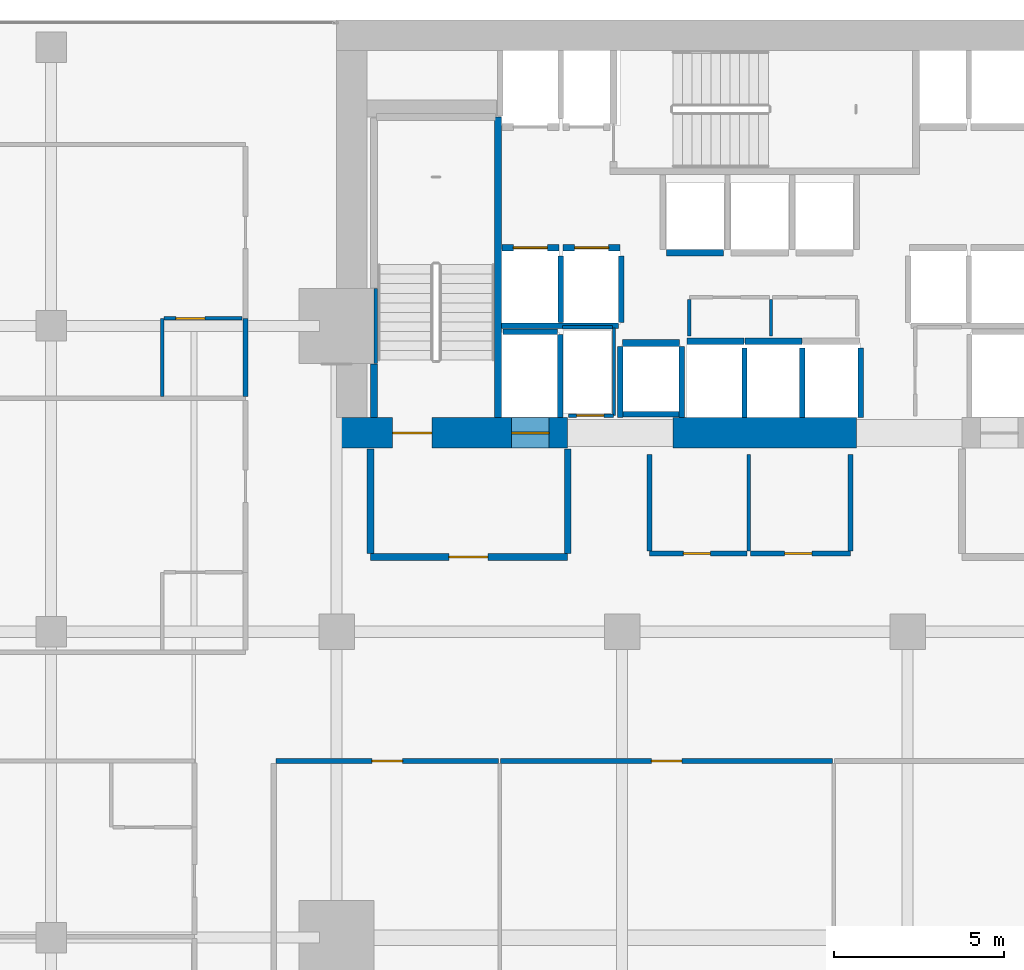
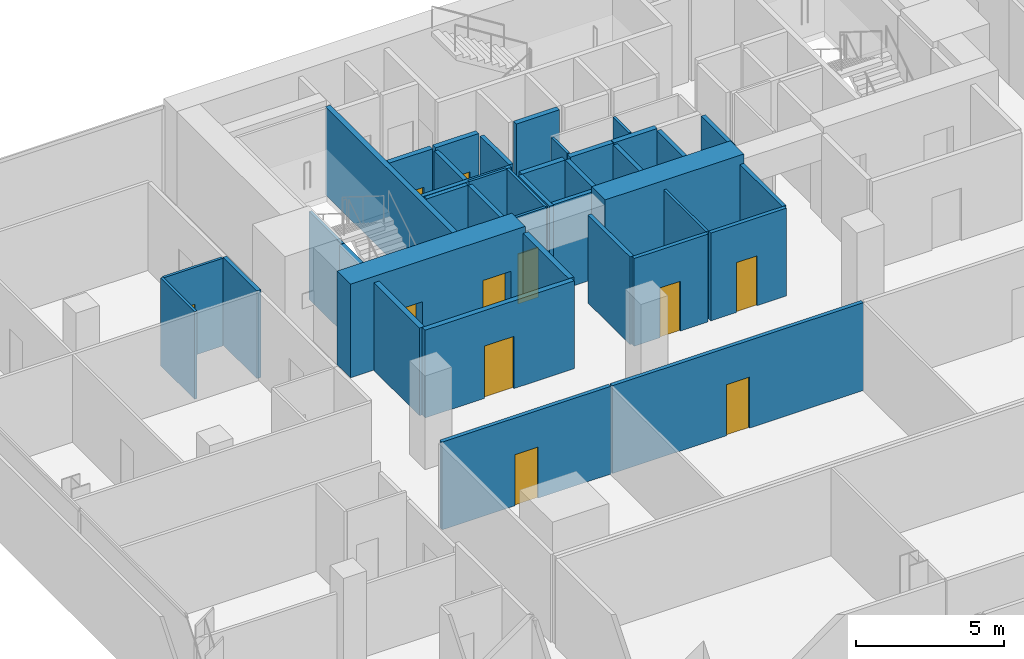
# One storey, part 35 of 40: 40 walls, 11 doors, 11 openings.
"""IFC4 building model written with IfcOpenShell, lengths in metres."""

from ifc_helpers import new_model, si_unit, direction, frame, frame_2d, origin, place, context, subcontext, project, spatial, rectangle, extrude, material, layer, layer_set, type_object, element, fill, save


model = new_model("IFC4")

# Units and contexts
model_context = context("Model", 3, precision=1e-05, world=origin(), true_north=direction((0.0, 1.0)))
body_context = subcontext(model_context, "Body", "Model", "MODEL_VIEW")
ifc_project = project(units=[si_unit("LENGTHUNIT", "METRE"), si_unit("AREAUNIT", "SQUARE_METRE"), si_unit("VOLUMEUNIT", "CUBIC_METRE"), si_unit("PLANEANGLEUNIT", "RADIAN"), si_unit("MASSUNIT", "GRAM", prefix="KILO")], contexts=[model_context])

# Site, building, storey
site_placement = place(None, origin())
site = spatial("IfcSite", under=ifc_project, at=site_placement, CompositionType="ELEMENT")
building_placement = place(site_placement, origin())
building = spatial("IfcBuilding", under=site, at=building_placement, Name="Maruvema Waterfront Hotel and Observation Tower", CompositionType="ELEMENT")
storey_placement = place(building_placement, frame((0.0, 0.0, 50.050048828125)))
storey = spatial("IfcBuildingStorey", under=building, at=storey_placement, Name="L11", CompositionType="ELEMENT", Elevation=50.050048828125)

# Wall, opening, door
ifc_material_1 = material(Name="Twin-stud acoustic gypsum drywall", Category="gypsum")
ifc_layer_1 = layer(ifc_material_1, 0.14990234375, Name="Acoustic Corridor and Suite Demising Wall 150 mm")
ifc_layer_set_1 = layer_set([ifc_layer_1], Name="Twin-stud acoustic gypsum drywall")
wall_type_1 = type_object("IfcWallType", Name="Acoustic Corridor and Suite Demising Wall 150 mm", PredefinedType="PARTITIONING", material=ifc_layer_set_1)
wall_1_placement = place(storey_placement, frame((34.39990234375, 38.300048828125, 0.0), z_axis=(0.0, 0.0, 1.0), x_axis=(1.0, 0.0, 0.0)))
wall_1 = element("IfcWall", 1, at=wall_1_placement, inside=storey, type_object=wall_type_1, Name="L11 Core Apron K2A South 017", PredefinedType="PARTITIONING", context=body_context, shape_type="SweptSolid", body=[
    extrude(rectangle(XDim=2.880126953125, YDim=0.14990234375, at=frame_2d((1.43994140625, 0.0))), origin(), (0.0, 0.0, 1.0), 3.60986328125),
])
opening_1_placement = place(wall_1_placement, frame((1.0, 0.0, 0.0)))
opening_1 = element("IfcOpeningElement", 2, at=opening_1_placement, cuts=wall_1, Name="Opening DR-080", PredefinedType="OPENING", context=body_context, shape_type="SweptSolid", body=[
    extrude(rectangle(XDim=0.800048828125, YDim=2.050048828125, at=frame_2d((0.39990234375, 1.02490234375))), frame((0.0, 0.0849609375, 0.0), z_axis=(0.0, -1.0, 0.0), x_axis=(1.0, 0.0, 0.0)), (0.0, 0.0, 1.0), 0.169921875),
])
ifc_material_2 = material(Name="Powder-coated steel access leaf", Category="steel")
door_type_1 = type_object("IfcDoorType", Name="Riser and Service Cupboard Door 800x2050 mm", OperationType="NOTDEFINED", PredefinedType="DOOR", material=ifc_material_2)
door_1_placement = place(opening_1_placement, frame((0.800048828125, 0.0, 0.0), z_axis=(0.0, 0.0, 1.0), x_axis=(-1.0, 0.0, 0.0)))
door_1 = element("IfcDoor", 3, at=door_1_placement, inside=storey, type_object=door_type_1, Name="L11 Core Ice Alcove Door", OperationType="SINGLE_SWING_RIGHT", OverallHeight=2.050048828125, OverallWidth=0.800048828125, PredefinedType="DOOR", context=body_context, shape_type="SweptSolid", body=[
    extrude(rectangle(XDim=0.800048828125, YDim=2.050048828125, at=frame_2d((0.39990234375, 1.02490234375))), frame((0.0, 0.02490234375, 0.0), z_axis=(0.0, -1.0, 0.0), x_axis=(1.0, 0.0, 0.0)), (0.0, 0.0, 1.0), 0.050048828125),
])
fill(opening_1, door_1)

wall_2_placement = place(storey_placement, frame((37.3798828125, 38.300048828125, 0.0), z_axis=(0.0, 0.0, 1.0), x_axis=(1.0, 0.0, 0.0)))
wall_2 = element("IfcWall", 4, at=wall_2_placement, inside=storey, type_object=wall_type_1, Name="L11 Core Apron K2B South 018", PredefinedType="PARTITIONING", context=body_context, shape_type="SweptSolid", body=[
    extrude(rectangle(XDim=2.940185546875, YDim=0.14990234375, at=frame_2d((1.47021484375, 0.0))), origin(), (0.0, 0.0, 1.0), 3.60986328125),
])
opening_2_placement = place(wall_2_placement, frame((1.0, 0.0, 0.0)))
opening_2 = element("IfcOpeningElement", 5, at=opening_2_placement, cuts=wall_2, Name="Opening DR-080", PredefinedType="OPENING", context=body_context, shape_type="SweptSolid", body=[
    extrude(rectangle(XDim=0.800048828125, YDim=2.050048828125, at=frame_2d((0.39990234375, 1.02490234375))), frame((0.0, 0.0849609375, 0.0), z_axis=(0.0, -1.0, 0.0), x_axis=(1.0, 0.0, 0.0)), (0.0, 0.0, 1.0), 0.169921875),
])
door_2_placement = place(opening_2_placement, frame((0.800048828125, 0.0, 0.0), z_axis=(0.0, 0.0, 1.0), x_axis=(-1.0, 0.0, 0.0)))
door_2 = element("IfcDoor", 6, at=door_2_placement, inside=storey, type_object=door_type_1, Name="L11 Core Valet Closet Door", OperationType="SINGLE_SWING_LEFT", OverallHeight=2.050048828125, OverallWidth=0.800048828125, PredefinedType="DOOR", context=body_context, shape_type="SweptSolid", body=[
    extrude(rectangle(XDim=0.800048828125, YDim=2.050048828125, at=frame_2d((0.39990234375, 1.02490234375))), frame((0.0, 0.02490234375, 0.0), z_axis=(0.0, -1.0, 0.0), x_axis=(1.0, 0.0, 0.0)), (0.0, 0.0, 1.0), 0.050048828125),
])
fill(opening_2, door_2)

# Walls
for number, where, z_axis, x_axis, name in (
    (7, (34.39990234375, 38.3798828125, 0.0), (0.0, 0.0, 1.0), (0.0, 1.0, 0.0), "L11 Core Apron K2 West 019"),
    (8, (40.320068359375, 38.3798828125, 0.0), (0.0, 0.0, 1.0), (0.0, 1.0, 0.0), "L11 Core Apron K2 East 021"),
):
    element("IfcWall", number, at=place(storey_placement, frame(where, z_axis=z_axis, x_axis=x_axis)), inside=storey, type_object=wall_type_1, Name=name, PredefinedType="PARTITIONING", context=body_context, shape_type="SweptSolid", body=[
        extrude(rectangle(XDim=2.840087890625, YDim=0.14990234375, at=frame_2d((1.419921875, 0.0))), origin(), (0.0, 0.0, 1.0), 3.60986328125),
    ])

# Wall, opening, door
wall_3_placement = place(storey_placement, frame((23.409912109375, 32.199951171875, 0.0), z_axis=(0.0, 0.0, 1.0), x_axis=(1.0, 0.0, 0.0)))
wall_3 = element("IfcWall", 9, at=wall_3_placement, inside=storey, type_object=wall_type_1, Name="L11 L11-INTN Front 1 025", PredefinedType="PARTITIONING", context=body_context, shape_type="SweptSolid", body=[
    extrude(rectangle(XDim=6.55712890625, YDim=0.14990234375, at=frame_2d((3.278564453125, 0.0))), origin(), (0.0, 0.0, 1.0), 3.60986328125),
])
opening_3_placement = place(wall_3_placement, frame((2.82861328125, 0.0, 0.0)))
opening_3 = element("IfcOpeningElement", 10, at=opening_3_placement, cuts=wall_3, Name="Opening DR-090", PredefinedType="OPENING", context=body_context, shape_type="SweptSolid", body=[
    extrude(rectangle(XDim=0.89990234375, YDim=2.10009765625, at=frame_2d((0.449951171875, 1.050048828125))), frame((0.0, 0.0849609375, 0.0), z_axis=(0.0, -1.0, 0.0), x_axis=(1.0, 0.0, 0.0)), (0.0, 0.0, 1.0), 0.169921875),
])
ifc_material_3 = material(Name="Solid-core lacquered timber leaf", Category="wood")
door_type_2 = type_object("IfcDoorType", Name="Accessible Toilet and Room Door 900x2100 mm", OperationType="NOTDEFINED", PredefinedType="DOOR", material=ifc_material_3)
door_3_placement = place(opening_3_placement, origin())
door_3 = element("IfcDoor", 11, at=door_3_placement, inside=storey, type_object=door_type_2, Name="L11 Executive Meeting Room 1 Door", OperationType="SINGLE_SWING_RIGHT", OverallHeight=2.10009765625, OverallWidth=0.89990234375, PredefinedType="DOOR", context=body_context, shape_type="SweptSolid", body=[
    extrude(rectangle(XDim=0.89990234375, YDim=2.10009765625, at=frame_2d((0.449951171875, 1.050048828125))), frame((0.0, 0.02490234375, 0.0), z_axis=(0.0, -1.0, 0.0), x_axis=(1.0, 0.0, 0.0)), (0.0, 0.0, 1.0), 0.050048828125),
])
fill(opening_3, door_3)

wall_4_placement = place(storey_placement, frame((30.027099609375, 32.199951171875, 0.0), z_axis=(0.0, 0.0, 1.0), x_axis=(1.0, 0.0, 0.0)))
wall_4 = element("IfcWall", 12, at=wall_4_placement, inside=storey, type_object=wall_type_1, Name="L11 L11-INTN Front 2 027", PredefinedType="PARTITIONING", context=body_context, shape_type="SweptSolid", body=[
    extrude(rectangle(XDim=9.765869140625, YDim=0.14990234375, at=frame_2d((4.8828125, 0.0))), origin(), (0.0, 0.0, 1.0), 3.60986328125),
])
opening_4_placement = place(wall_4_placement, frame((4.43310546875, 0.0, 0.0)))
opening_4 = element("IfcOpeningElement", 13, at=opening_4_placement, cuts=wall_4, Name="Opening DR-090", PredefinedType="OPENING", context=body_context, shape_type="SweptSolid", body=[
    extrude(rectangle(XDim=0.89990234375, YDim=2.10009765625, at=frame_2d((0.449951171875, 1.050048828125))), frame((0.0, 0.0849609375, 0.0), z_axis=(0.0, -1.0, 0.0), x_axis=(1.0, 0.0, 0.0)), (0.0, 0.0, 1.0), 0.169921875),
])
door_4_placement = place(opening_4_placement, origin())
door_4 = element("IfcDoor", 14, at=door_4_placement, inside=storey, type_object=door_type_2, Name="L11 Executive Meeting Room 2 Door", OperationType="SINGLE_SWING_LEFT", OverallHeight=2.10009765625, OverallWidth=0.89990234375, PredefinedType="DOOR", context=body_context, shape_type="SweptSolid", body=[
    extrude(rectangle(XDim=0.89990234375, YDim=2.10009765625, at=frame_2d((0.449951171875, 1.050048828125))), frame((0.0, 0.02490234375, 0.0), z_axis=(0.0, -1.0, 0.0), x_axis=(1.0, 0.0, 0.0)), (0.0, 0.0, 1.0), 0.050048828125),
])
fill(opening_4, door_4)

# Walls
wall_5_placement = place(storey_placement, frame((22.52001953125, 42.9287109375, 0.0), z_axis=(0.0, 0.0, 1.0), x_axis=(0.0, 1.0, 0.0)))
element("IfcWall", 15, at=wall_5_placement, inside=storey, type_object=wall_type_1, Name="L11 Bath L11-NW2 Wall 113", PredefinedType="PARTITIONING", context=body_context, shape_type="SweptSolid", body=[
    extrude(rectangle(XDim=2.2900390625, YDim=0.14990234375, at=frame_2d((1.14501953125, 0.0))), origin(), (0.0, 0.0, 1.0), 3.60986328125),
])
ifc_material_4 = material(Name="Precast concrete C45/55", Category="concrete")
ifc_layer_2 = layer(ifc_material_4, 0.199951171875, Name="Core Shaft and Stairwell Enclosure Wall 200 mm")
ifc_layer_set_2 = layer_set([ifc_layer_2], Name="Precast concrete C45/55")
wall_type_2 = type_object("IfcWallType", Name="Core Shaft and Stairwell Enclosure Wall 200 mm", PredefinedType="SOLIDWALL", material=ifc_layer_set_2)
wall_6_placement = place(storey_placement, frame((29.949951171875, 42.300048828125, 0.0), z_axis=(0.0, 0.0, 1.0), x_axis=(0.0, 1.0, 0.0)))
element("IfcWall", 16, at=wall_6_placement, inside=storey, type_object=wall_type_2, Name="L11 Stairwell ST-01 East Shaft Wall", PredefinedType="SOLIDWALL", context=body_context, shape_type="SweptSolid", body=[
    extrude(rectangle(XDim=8.849853515625, YDim=0.199951171875, at=frame_2d((4.4248046875, 0.0))), origin(), (0.0, 0.0, 1.0), 3.60986328125),
])
wall_7_placement = place(storey_placement, frame((26.300048828125, 42.300048828125, 0.0), z_axis=(0.0, 0.0, 1.0), x_axis=(0.0, 1.0, 0.0)))
element("IfcWall", 17, at=wall_7_placement, inside=storey, type_object=wall_type_2, Name="L11 Stairwell ST-01 Shaft Lining Wall", PredefinedType="SOLIDWALL", context=body_context, shape_type="SweptSolid", body=[
    extrude(rectangle(XDim=1.579833984375, YDim=0.199951171875, at=frame_2d((0.7900390625, 0.0))), origin(), (0.0, 0.0, 1.0), 3.60986328125),
])

# Wall, opening, door
wall_8_placement = place(storey_placement, frame((30.06005859375, 47.300048828125, 0.0), z_axis=(0.0, 0.0, 1.0), x_axis=(1.0, 0.0, 0.0)))
wall_8 = element("IfcWall", 18, at=wall_8_placement, inside=storey, type_object=wall_type_2, Name="L11 Lift LF-01 Hoistway Front Wall", PredefinedType="SOLIDWALL", context=body_context, shape_type="SweptSolid", body=[
    extrude(rectangle(XDim=1.679931640625, YDim=0.199951171875, at=frame_2d((0.83984375, 0.0))), origin(), (0.0, 0.0, 1.0), 3.60986328125),
])
opening_5_placement = place(wall_8_placement, frame((0.340087890625, 0.0, 0.0)))
opening_5 = element("IfcOpeningElement", 19, at=opening_5_placement, cuts=wall_8, Name="Opening LD-01", PredefinedType="OPENING", context=body_context, shape_type="SweptSolid", body=[
    extrude(rectangle(XDim=1.0, YDim=2.14990234375, at=frame_2d((0.5, 1.074951171875))), frame((0.0, 0.10986328125, 0.0), z_axis=(0.0, -1.0, 0.0), x_axis=(1.0, 0.0, 0.0)), (0.0, 0.0, 1.0), 0.219970703125),
])
ifc_material_5 = material(Name="Brushed stainless steel Grade 316", Category="steel")
door_type_3 = type_object("IfcDoorType", Name="Passenger Lift Sliding Landing Door 1000x2150 mm", OperationType="SLIDING_TO_LEFT", PredefinedType="DOOR", material=ifc_material_5)
door_5_placement = place(opening_5_placement, origin())
door_5 = element("IfcDoor", 20, at=door_5_placement, inside=storey, type_object=door_type_3, Name="L11 Lift LF-01 Sliding Landing Door", OperationType="SLIDING_TO_LEFT", OverallHeight=2.14990234375, OverallWidth=1.0, PredefinedType="DOOR", context=body_context, shape_type="SweptSolid", body=[
    extrude(rectangle(XDim=1.0, YDim=2.14990234375, at=frame_2d((0.5, 1.074951171875))), frame((0.0, 0.02490234375, 0.0), z_axis=(0.0, -1.0, 0.0), x_axis=(1.0, 0.0, 0.0)), (0.0, 0.0, 1.0), 0.050048828125),
])
fill(opening_5, door_5)

wall_9_placement = place(storey_placement, frame((31.860107421875, 47.300048828125, 0.0), z_axis=(0.0, 0.0, 1.0), x_axis=(1.0, 0.0, 0.0)))
wall_9 = element("IfcWall", 21, at=wall_9_placement, inside=storey, type_object=wall_type_2, Name="L11 Lift LF-02 Hoistway Front Wall", PredefinedType="SOLIDWALL", context=body_context, shape_type="SweptSolid", body=[
    extrude(rectangle(XDim=1.679931640625, YDim=0.199951171875, at=frame_2d((0.83984375, 0.0))), origin(), (0.0, 0.0, 1.0), 3.60986328125),
])
opening_6_placement = place(wall_9_placement, frame((0.340087890625, 0.0, 0.0)))
opening_6 = element("IfcOpeningElement", 22, at=opening_6_placement, cuts=wall_9, Name="Opening LD-01", PredefinedType="OPENING", context=body_context, shape_type="SweptSolid", body=[
    extrude(rectangle(XDim=1.0, YDim=2.14990234375, at=frame_2d((0.5, 1.074951171875))), frame((0.0, 0.10986328125, 0.0), z_axis=(0.0, -1.0, 0.0), x_axis=(1.0, 0.0, 0.0)), (0.0, 0.0, 1.0), 0.219970703125),
])
door_6_placement = place(opening_6_placement, origin())
door_6 = element("IfcDoor", 23, at=door_6_placement, inside=storey, type_object=door_type_3, Name="L11 Lift LF-02 Sliding Landing Door", OperationType="SLIDING_TO_LEFT", OverallHeight=2.14990234375, OverallWidth=1.0, PredefinedType="DOOR", context=body_context, shape_type="SweptSolid", body=[
    extrude(rectangle(XDim=1.0, YDim=2.14990234375, at=frame_2d((0.5, 1.074951171875))), frame((0.0, 0.02490234375, 0.0), z_axis=(0.0, -1.0, 0.0), x_axis=(1.0, 0.0, 0.0)), (0.0, 0.0, 1.0), 0.050048828125),
])
fill(opening_6, door_6)

# Walls
for number, where, z_axis, x_axis, name in (
    (24, (35.510009765625, 44.550048828125, 0.0), (0.0, 0.0, 1.0), (1.0, 0.0, 0.0), "L11 Lift LF-09 Hoistway Front Wall"),
    (25, (37.2099609375, 44.550048828125, 0.0), (0.0, 0.0, 1.0), (1.0, 0.0, 0.0), "L11 Lift LF-10 Hoistway Front Wall"),
):
    element("IfcWall", number, at=place(storey_placement, frame(where, z_axis=z_axis, x_axis=x_axis)), inside=storey, type_object=wall_type_2, Name=name, PredefinedType="SOLIDWALL", context=body_context, shape_type="SweptSolid", body=[
        extrude(rectangle(XDim=1.679931640625, YDim=0.199951171875, at=frame_2d((0.83984375, 0.0))), origin(), (0.0, 0.0, 1.0), 3.60986328125),
    ])
wall_10_placement = place(storey_placement, frame((34.909912109375, 47.14990234375, 0.0), z_axis=(0.0, 0.0, 1.0), x_axis=(1.0, 0.0, 0.0)))
element("IfcWall", 26, at=wall_10_placement, inside=storey, type_object=wall_type_2, Name="L11 Lift LF-12 Hoistway Front Wall", PredefinedType="SOLIDWALL", context=body_context, shape_type="SweptSolid", body=[
    extrude(rectangle(XDim=1.68017578125, YDim=0.199951171875, at=frame_2d((0.840087890625, 0.0))), origin(), (0.0, 0.0, 1.0), 3.60986328125),
])
wall_11_placement = place(storey_placement, frame((33.610107421875, 44.5, 0.0), z_axis=(0.0, 0.0, 1.0), x_axis=(1.0, 0.0, 0.0)))
element("IfcWall", 27, at=wall_11_placement, inside=storey, type_object=wall_type_2, Name="L11 Lift LF-15 Hoistway Front Wall", PredefinedType="SOLIDWALL", context=body_context, shape_type="SweptSolid", body=[
    extrude(rectangle(XDim=1.679931640625, YDim=0.199951171875, at=frame_2d((0.83984375, 0.0))), origin(), (0.0, 0.0, 1.0), 3.60986328125),
])

# Wall, openings, doors
ifc_material_6 = material(Name="Concrete C80/95", Category="concrete")
ifc_layer_3 = layer(ifc_material_6, 0.89990234375, Name="Core Shear Wall 900 mm")
ifc_layer_set_3 = layer_set([ifc_layer_3], Name="Concrete C80/95")
wall_type_3 = type_object("IfcWallType", Name="Core Shear Wall 900 mm", PredefinedType="SHEAR", material=ifc_layer_set_3)
wall_12_placement = place(storey_placement, frame((25.199951171875, 41.85009765625, 0.0), z_axis=(0.0, 0.0, 1.0), x_axis=(1.0, 0.0, 0.0)))
wall_12 = element("IfcWall", 28, at=wall_12_placement, inside=storey, type_object=wall_type_3, Name="L11 South-West Core Shear Wall", PredefinedType="SHEAR", context=body_context, shape_type="SweptSolid", body=[
    extrude(rectangle(XDim=6.800048828125, YDim=0.89990234375, at=frame_2d((3.39990234375, 0.0))), origin(), (0.0, 0.0, 1.0), 3.849853515625),
])
opening_7_placement = place(wall_12_placement, frame((1.64990234375, 0.0, 0.0)))
opening_7 = element("IfcOpeningElement", 29, at=opening_7_placement, cuts=wall_12, Name="Opening SD-01", PredefinedType="OPENING", context=body_context, shape_type="SweptSolid", body=[
    extrude(rectangle(XDim=1.14990234375, YDim=2.14990234375, at=frame_2d((0.574951171875, 1.074951171875))), frame((0.0, 0.4599609375, 0.0), z_axis=(0.0, -1.0, 0.0), x_axis=(1.0, 0.0, 0.0)), (0.0, 0.0, 1.0), 0.919921875),
])
opening_8_placement = place(wall_12_placement, frame((5.14990234375, 0.0, 0.0)))
opening_8 = element("IfcOpeningElement", 30, at=opening_8_placement, cuts=wall_12, Name="Opening LD-03", PredefinedType="OPENING", context=body_context, shape_type="SweptSolid", body=[
    extrude(rectangle(XDim=1.10009765625, YDim=2.199951171875, at=frame_2d((0.550048828125, 1.10009765625))), frame((0.0, 0.4599609375, 0.0), z_axis=(0.0, -1.0, 0.0), x_axis=(1.0, 0.0, 0.0)), (0.0, 0.0, 1.0), 0.919921875),
])
ifc_material_7 = material(Name="Fire-rated galvanised steel leaf", Category="steel")
door_type_4 = type_object("IfcDoorType", Name="Exit Stair Fire Door 1150x2150 mm", OperationType="NOTDEFINED", PredefinedType="DOOR", material=ifc_material_7)
door_7_placement = place(opening_7_placement, origin())
door_7 = element("IfcDoor", 31, at=door_7_placement, inside=storey, type_object=door_type_4, Name="L11 Exit Stair ST-01 Fire Door", OperationType="SINGLE_SWING_LEFT", OverallHeight=2.14990234375, OverallWidth=1.14990234375, PredefinedType="DOOR", context=body_context, shape_type="SweptSolid", body=[
    extrude(rectangle(XDim=1.14990234375, YDim=2.14990234375, at=frame_2d((0.574951171875, 1.074951171875))), frame((0.0, 0.02490234375, 0.0), z_axis=(0.0, -1.0, 0.0), x_axis=(1.0, 0.0, 0.0)), (0.0, 0.0, 1.0), 0.050048828125),
])
fill(opening_7, door_7)
ifc_material_8 = material(Name="Brushed stainless steel Grade 316", Category="steel")
door_type_5 = type_object("IfcDoorType", Name="Firefighting Lift Sliding Landing Door 1100x2200 mm", OperationType="SLIDING_TO_LEFT", PredefinedType="DOOR", material=ifc_material_8)
door_8_placement = place(opening_8_placement, frame((1.10009765625, 0.0, 0.0), z_axis=(0.0, 0.0, 1.0), x_axis=(-1.0, 0.0, 0.0)))
door_8 = element("IfcDoor", 32, at=door_8_placement, inside=storey, type_object=door_type_5, Name="L11 Firefighting Lift FL-01 Landing Door", OperationType="SLIDING_TO_LEFT", OverallHeight=2.199951171875, OverallWidth=1.10009765625, PredefinedType="DOOR", context=body_context, shape_type="SweptSolid", body=[
    extrude(rectangle(XDim=1.10009765625, YDim=2.199951171875, at=frame_2d((0.550048828125, 1.10009765625))), frame((0.0, 0.02490234375, 0.0), z_axis=(0.0, -1.0, 0.0), x_axis=(1.0, 0.0, 0.0)), (0.0, 0.0, 1.0), 0.050048828125),
])
fill(opening_8, door_8)

# Wall
wall_13_placement = place(storey_placement, frame((35.10009765625, 41.85009765625, 0.0), z_axis=(0.0, 0.0, 1.0), x_axis=(1.0, 0.0, 0.0)))
element("IfcWall", 33, at=wall_13_placement, inside=storey, type_object=wall_type_3, Name="L11 South-Central Core Shear Wall", PredefinedType="SHEAR", context=body_context, shape_type="SweptSolid", body=[
    extrude(rectangle(XDim=5.39990234375, YDim=0.89990234375, at=frame_2d((2.699951171875, 0.0))), origin(), (0.0, 0.0, 1.0), 3.849853515625),
])

# Wall, opening, door
ifc_material_9 = material(Name="Moisture-resistant cement-board drywall", Category="gypsum")
ifc_layer_4 = layer(ifc_material_9, 0.10009765625, Name="En-Suite Moisture-Resistant Partition 100 mm")
ifc_layer_set_4 = layer_set([ifc_layer_4], Name="Moisture-resistant cement-board drywall")
wall_type_4 = type_object("IfcWallType", Name="En-Suite Moisture-Resistant Partition 100 mm", PredefinedType="PARTITIONING", material=ifc_layer_set_4)
wall_14_placement = place(storey_placement, frame((32.02001953125, 42.360107421875, 0.0), z_axis=(0.0, 0.0, 1.0), x_axis=(1.0, 0.0, 0.0)))
wall_14 = element("IfcWall", 34, at=wall_14_placement, inside=storey, type_object=wall_type_4, Name="L11 Telecom Riser South Wall 007", PredefinedType="PARTITIONING", context=body_context, shape_type="SweptSolid", body=[
    extrude(rectangle(XDim=1.320068359375, YDim=0.10009765625, at=frame_2d((0.66015625, 0.0))), origin(), (0.0, 0.0, 1.0), 3.60986328125),
])
opening_9_placement = place(wall_14_placement, frame((0.239990234375, 0.0, 0.0)))
opening_9 = element("IfcOpeningElement", 35, at=opening_9_placement, cuts=wall_14, Name="Opening DR-080", PredefinedType="OPENING", context=body_context, shape_type="SweptSolid", body=[
    extrude(rectangle(XDim=0.800048828125, YDim=2.050048828125, at=frame_2d((0.39990234375, 1.02490234375))), frame((0.0, 0.06005859375, 0.0), z_axis=(0.0, -1.0, 0.0), x_axis=(1.0, 0.0, 0.0)), (0.0, 0.0, 1.0), 0.1201171875),
])
door_9_placement = place(opening_9_placement, frame((0.800048828125, 0.0, 0.0), z_axis=(0.0, 0.0, 1.0), x_axis=(-1.0, 0.0, 0.0)))
door_9 = element("IfcDoor", 36, at=door_9_placement, inside=storey, type_object=door_type_1, Name="L11 Telecom Riser Door", OperationType="SINGLE_SWING_RIGHT", OverallHeight=2.050048828125, OverallWidth=0.800048828125, PredefinedType="DOOR", context=body_context, shape_type="SweptSolid", body=[
    extrude(rectangle(XDim=0.800048828125, YDim=2.050048828125, at=frame_2d((0.39990234375, 1.02490234375))), frame((0.0, 0.02490234375, 0.0), z_axis=(0.0, -1.0, 0.0), x_axis=(1.0, 0.0, 0.0)), (0.0, 0.0, 1.0), 0.050048828125),
])
fill(opening_9, door_9)

# Walls
wall_15_placement = place(storey_placement, frame((31.840087890625, 44.9599609375, 0.0), z_axis=(0.0, 0.0, 1.0), x_axis=(1.0, 0.0, 0.0)))
element("IfcWall", 37, at=wall_15_placement, inside=storey, type_object=wall_type_4, Name="L11 Telecom Riser North Wall 008", PredefinedType="PARTITIONING", context=body_context, shape_type="SweptSolid", body=[
    extrude(rectangle(XDim=1.47998046875, YDim=0.10009765625, at=frame_2d((0.739990234375, 0.0))), origin(), (0.0, 0.0, 1.0), 3.60986328125),
])
wall_16_placement = place(storey_placement, frame((33.360107421875, 42.360107421875, 0.0), z_axis=(0.0, 0.0, 1.0), x_axis=(0.0, 1.0, 0.0)))
element("IfcWall", 38, at=wall_16_placement, inside=storey, type_object=wall_type_4, Name="L11 Telecom Riser East Wall 009", PredefinedType="PARTITIONING", context=body_context, shape_type="SweptSolid", body=[
    extrude(rectangle(XDim=2.579833984375, YDim=0.10009765625, at=frame_2d((1.2900390625, 0.0))), origin(), (0.0, 0.0, 1.0), 3.60986328125),
])
for number, where, z_axis, x_axis, name in (
    (39, (35.580078125, 44.699951171875, 0.0), (0.0, 0.0, 1.0), (0.0, 1.0, 0.0), "L11 Core Closet K2 West 012"),
    (40, (37.97998046875, 44.699951171875, 0.0), (0.0, 0.0, 1.0), (0.0, 1.0, 0.0), "L11 Core Closet K2 Mid 013"),
):
    element("IfcWall", number, at=place(storey_placement, frame(where, z_axis=z_axis, x_axis=x_axis)), inside=storey, type_object=wall_type_4, Name=name, PredefinedType="PARTITIONING", context=body_context, shape_type="SweptSolid", body=[
        extrude(rectangle(XDim=1.080078125, YDim=0.10009765625, at=frame_2d((0.5400390625, 0.0))), origin(), (0.0, 0.0, 1.0), 3.60986328125),
    ])
wall_17_placement = place(storey_placement, frame((37.330078125, 38.3798828125, 0.0), z_axis=(0.0, 0.0, 1.0), x_axis=(0.0, 1.0, 0.0)))
element("IfcWall", 41, at=wall_17_placement, inside=storey, type_object=wall_type_4, Name="L11 Core Apron K2 Split 020", PredefinedType="PARTITIONING", context=body_context, shape_type="SweptSolid", body=[
    extrude(rectangle(XDim=2.840087890625, YDim=0.10009765625, at=frame_2d((1.419921875, 0.0))), origin(), (0.0, 0.0, 1.0), 3.60986328125),
])
wall_18_placement = place(storey_placement, frame((20.070068359375, 42.9287109375, 0.0), z_axis=(0.0, 0.0, 1.0), x_axis=(0.0, 1.0, 0.0)))
element("IfcWall", 42, at=wall_18_placement, inside=storey, type_object=wall_type_4, Name="L11 En-Suite L11-NW2 W 115", PredefinedType="PARTITIONING", context=body_context, shape_type="SweptSolid", body=[
    extrude(rectangle(XDim=2.2900390625, YDim=0.10009765625, at=frame_2d((1.14501953125, 0.0))), origin(), (0.0, 0.0, 1.0), 3.60986328125),
])

# Wall, opening, door
wall_19_placement = place(storey_placement, frame((20.1201171875, 45.21875, 0.0), z_axis=(0.0, 0.0, 1.0), x_axis=(1.0, 0.0, 0.0)))
wall_19 = element("IfcWall", 43, at=wall_19_placement, inside=storey, type_object=wall_type_4, Name="L11 En-Suite L11-NW2 N 116", PredefinedType="PARTITIONING", context=body_context, shape_type="SweptSolid", body=[
    extrude(rectangle(XDim=2.2998046875, YDim=0.10009765625, at=frame_2d((1.14990234375, 0.0))), origin(), (0.0, 0.0, 1.0), 3.60986328125),
])
opening_10_placement = place(wall_19_placement, frame((0.35009765625, 0.0, 0.0)))
opening_10 = element("IfcOpeningElement", 44, at=opening_10_placement, cuts=wall_19, Name="Opening DR-085", PredefinedType="OPENING", context=body_context, shape_type="SweptSolid", body=[
    extrude(rectangle(XDim=0.85009765625, YDim=2.10009765625, at=frame_2d((0.425048828125, 1.050048828125))), frame((0.0, 0.06005859375, 0.0), z_axis=(0.0, -1.0, 0.0), x_axis=(1.0, 0.0, 0.0)), (0.0, 0.0, 1.0), 0.1201171875),
])
ifc_material_10 = material(Name="Moisture-resistant solid timber leaf", Category="wood")
door_type_6 = type_object("IfcDoorType", Name="En-Suite Bathroom Door 850x2100 mm", OperationType="NOTDEFINED", PredefinedType="DOOR", material=ifc_material_10)
door_10_placement = place(opening_10_placement, origin())
door_10 = element("IfcDoor", 45, at=door_10_placement, inside=storey, type_object=door_type_6, Name="L11 En-Suite L11-NW2 Door", OperationType="SINGLE_SWING_LEFT", OverallHeight=2.10009765625, OverallWidth=0.85009765625, PredefinedType="DOOR", context=body_context, shape_type="SweptSolid", body=[
    extrude(rectangle(XDim=0.85009765625, YDim=2.10009765625, at=frame_2d((0.425048828125, 1.050048828125))), frame((0.0, 0.02490234375, 0.0), z_axis=(0.0, -1.0, 0.0), x_axis=(1.0, 0.0, 0.0)), (0.0, 0.0, 1.0), 0.050048828125),
])
fill(opening_10, door_10)

ifc_material_11 = material(Name="Autoclaved cellular concrete blockwork", Category="masonry")
ifc_layer_5 = layer(ifc_material_11, 0.199951171875, Name="Fire Compartment Masonry Wall 200 mm")
ifc_layer_set_5 = layer_set([ifc_layer_5], Name="Autoclaved cellular concrete blockwork")
wall_type_5 = type_object("IfcWallType", Name="Fire Compartment Masonry Wall 200 mm", PredefinedType="PARTITIONING", material=ifc_layer_set_5)
wall_20_placement = place(storey_placement, frame((26.199951171875, 38.199951171875, 0.0), z_axis=(0.0, 0.0, 1.0), x_axis=(1.0, 0.0, 0.0)))
wall_20 = element("IfcWall", 46, at=wall_20_placement, inside=storey, type_object=wall_type_5, Name="L11 FFL West South Wall 001", PredefinedType="PARTITIONING", context=body_context, shape_type="SweptSolid", body=[
    extrude(rectangle(XDim=5.800048828125, YDim=0.199951171875, at=frame_2d((2.89990234375, 0.0))), origin(), (0.0, 0.0, 1.0), 3.60986328125),
])
opening_11_placement = place(wall_20_placement, frame((2.300048828125, 0.0, 0.0)))
opening_11 = element("IfcOpeningElement", 47, at=opening_11_placement, cuts=wall_20, Name="Opening FD-115", PredefinedType="OPENING", context=body_context, shape_type="SweptSolid", body=[
    extrude(rectangle(XDim=1.14990234375, YDim=2.14990234375, at=frame_2d((0.574951171875, 1.074951171875))), frame((0.0, 0.10986328125, 0.0), z_axis=(0.0, -1.0, 0.0), x_axis=(1.0, 0.0, 0.0)), (0.0, 0.0, 1.0), 0.219970703125),
])
ifc_material_12 = material(Name="Fire-rated galvanised steel and vision glass", Category="steel")
door_type_7 = type_object("IfcDoorType", Name="Firefighting Lobby Fire Door 1150x2150 mm", OperationType="NOTDEFINED", PredefinedType="DOOR", material=ifc_material_12)
door_11_placement = place(opening_11_placement, frame((1.14990234375, 0.0, 0.0), z_axis=(0.0, 0.0, 1.0), x_axis=(-1.0, 0.0, 0.0)))
door_11 = element("IfcDoor", 48, at=door_11_placement, inside=storey, type_object=door_type_7, Name="L11 Firefighting Lobby West Door", OperationType="SINGLE_SWING_RIGHT", OverallHeight=2.14990234375, OverallWidth=1.14990234375, PredefinedType="DOOR", context=body_context, shape_type="SweptSolid", body=[
    extrude(rectangle(XDim=1.14990234375, YDim=2.14990234375, at=frame_2d((0.574951171875, 1.074951171875))), frame((0.0, 0.02490234375, 0.0), z_axis=(0.0, -1.0, 0.0), x_axis=(1.0, 0.0, 0.0)), (0.0, 0.0, 1.0), 0.050048828125),
])
fill(opening_11, door_11)

# Walls
for number, where, z_axis, x_axis, name in (
    (49, (26.199951171875, 38.31005859375, 0.0), (0.0, 0.0, 1.0), (0.0, 1.0, 0.0), "L11 FFL West West Wall 002"),
    (50, (32.0, 38.31005859375, 0.0), (0.0, 0.0, 1.0), (0.0, 1.0, 0.0), "L11 FFL West East Wall 003"),
):
    element("IfcWall", number, at=place(storey_placement, frame(where, z_axis=z_axis, x_axis=x_axis)), inside=storey, type_object=wall_type_5, Name=name, PredefinedType="PARTITIONING", context=body_context, shape_type="SweptSolid", body=[
        extrude(rectangle(XDim=3.06982421875, YDim=0.199951171875, at=frame_2d((1.534912109375, 0.0))), origin(), (0.0, 0.0, 1.0), 3.60986328125),
    ])
ifc_material_13 = material(Name="Precast concrete C45/55", Category="concrete")
ifc_layer_6 = layer(ifc_material_13, 0.159912109375, Name="Lift Hoistway Divider Wall 160 mm")
ifc_layer_set_6 = layer_set([ifc_layer_6], Name="Precast concrete C45/55")
wall_type_6 = type_object("IfcWallType", Name="Lift Hoistway Divider Wall 160 mm", PredefinedType="SOLIDWALL", material=ifc_layer_set_6)
wall_21_placement = place(storey_placement, frame((30.10009765625, 44.830078125, 0.0), z_axis=(0.0, 0.0, 1.0), x_axis=(1.0, 0.0, 0.0)))
element("IfcWall", 51, at=wall_21_placement, inside=storey, type_object=wall_type_6, Name="L11 Lift FL-01 Rear Hoistway Wall", PredefinedType="SOLIDWALL", context=body_context, shape_type="SweptSolid", body=[
    extrude(rectangle(XDim=1.599853515625, YDim=0.159912109375, at=frame_2d((0.7998046875, 0.0))), origin(), (0.0, 0.0, 1.0), 3.60986328125),
])
wall_22_placement = place(storey_placement, frame((31.780029296875, 42.300048828125, 0.0), z_axis=(0.0, 0.0, 1.0), x_axis=(0.0, 1.0, 0.0)))
element("IfcWall", 52, at=wall_22_placement, inside=storey, type_object=wall_type_6, Name="L11 Lift FL-01 Inner Hoistway Wall", PredefinedType="SOLIDWALL", context=body_context, shape_type="SweptSolid", body=[
    extrude(rectangle(XDim=2.43994140625, YDim=0.159912109375, at=frame_2d((1.219970703125, 0.0))), origin(), (0.0, 0.0, 1.0), 3.60986328125),
])
for number, where, z_axis, x_axis, name in (
    (53, (31.800048828125, 45.10009765625, 0.0), (0.0, 0.0, 1.0), (0.0, 1.0, 0.0), "L11 Hoistway Divider Wall"),
    (54, (33.580078125, 45.10009765625, 0.0), (0.0, 0.0, 1.0), (0.0, 1.0, 0.0), "L11 Hoistway Divider Wall"),
):
    element("IfcWall", number, at=place(storey_placement, frame(where, z_axis=z_axis, x_axis=x_axis)), inside=storey, type_object=wall_type_6, Name=name, PredefinedType="SOLIDWALL", context=body_context, shape_type="SweptSolid", body=[
        extrude(rectangle(XDim=1.949951171875, YDim=0.159912109375, at=frame_2d((0.97509765625, 0.0))), origin(), (0.0, 0.0, 1.0), 3.60986328125),
    ])
wall_23_placement = place(storey_placement, frame((30.050048828125, 45.010009765625, 0.0), z_axis=(0.0, 0.0, 1.0), x_axis=(1.0, 0.0, 0.0)))
element("IfcWall", 55, at=wall_23_placement, inside=storey, type_object=wall_type_6, Name="L11 Hoistway Divider Wall", PredefinedType="SOLIDWALL", context=body_context, shape_type="SweptSolid", body=[
    extrude(rectangle(XDim=3.449951171875, YDim=0.159912109375, at=frame_2d((1.72509765625, 0.0))), origin(), (0.0, 0.0, 1.0), 3.60986328125),
])
for number, where, z_axis, x_axis, name in (
    (56, (37.199951171875, 42.300048828125, 0.0), (0.0, 0.0, 1.0), (0.0, 1.0, 0.0), "L11 Hoistway Divider Wall"),
    (57, (38.89990234375, 42.300048828125, 0.0), (0.0, 0.0, 1.0), (0.0, 1.0, 0.0), "L11 Hoistway Divider Wall"),
    (58, (40.6201171875, 42.300048828125, 0.0), (0.0, 0.0, 1.0), (0.0, 1.0, 0.0), "L11 Hoistway Divider Wall"),
):
    element("IfcWall", number, at=place(storey_placement, frame(where, z_axis=z_axis, x_axis=x_axis)), inside=storey, type_object=wall_type_6, Name=name, PredefinedType="SOLIDWALL", context=body_context, shape_type="SweptSolid", body=[
        extrude(rectangle(XDim=2.050048828125, YDim=0.159912109375, at=frame_2d((1.02490234375, 0.0))), origin(), (0.0, 0.0, 1.0), 3.60986328125),
    ])
for number, where, z_axis, x_axis, name in (
    (59, (33.5400390625, 42.300048828125, 0.0), (0.0, 0.0, 1.0), (0.0, 1.0, 0.0), "L11 Hoistway Divider Wall"),
    (60, (35.360107421875, 42.300048828125, 0.0), (0.0, 0.0, 1.0), (0.0, 1.0, 0.0), "L11 Hoistway Divider Wall"),
):
    element("IfcWall", number, at=place(storey_placement, frame(where, z_axis=z_axis, x_axis=x_axis)), inside=storey, type_object=wall_type_6, Name=name, PredefinedType="SOLIDWALL", context=body_context, shape_type="SweptSolid", body=[
        extrude(rectangle(XDim=2.099853515625, YDim=0.159912109375, at=frame_2d((1.0498046875, 0.0))), origin(), (0.0, 0.0, 1.0), 3.60986328125),
    ])
wall_24_placement = place(storey_placement, frame((33.6201171875, 42.39990234375, 0.0), z_axis=(0.0, 0.0, 1.0), x_axis=(1.0, 0.0, 0.0)))
element("IfcWall", 61, at=wall_24_placement, inside=storey, type_object=wall_type_6, Name="L11 Hoistway Divider Wall", PredefinedType="SOLIDWALL", context=body_context, shape_type="SweptSolid", body=[
    extrude(rectangle(XDim=1.659912109375, YDim=0.159912109375, at=frame_2d((0.830078125, 0.0))), origin(), (0.0, 0.0, 1.0), 3.60986328125),
])
ifc_material_14 = material(Name="Precast concrete C45/55", Category="concrete")
ifc_layer_7 = layer(ifc_material_14, 0.10009765625, Name="Stairwell Stringer Cheek Wall 100 mm")
ifc_layer_set_7 = layer_set([ifc_layer_7], Name="Precast concrete C45/55")
wall_type_7 = type_object("IfcWallType", Name="Stairwell Stringer Cheek Wall 100 mm", PredefinedType="SOLIDWALL", material=ifc_layer_set_7)
wall_25_placement = place(storey_placement, frame((26.35205078125, 43.89990234375, 0.0), z_axis=(0.0, 0.0, 1.0), x_axis=(0.0, 1.0, 0.0)))
element("IfcWall", 62, at=wall_25_placement, inside=storey, type_object=wall_type_7, Name="L11 Stairwell ST-01 Mega-Column Cheek Wall", PredefinedType="SOLIDWALL", context=body_context, shape_type="SweptSolid", body=[
    extrude(rectangle(XDim=2.2001953125, YDim=0.10009765625, at=frame_2d((1.10009765625, 0.0))), origin(), (0.0, 0.0, 1.0), 3.60986328125),
])

save(model, "model.ifc")
